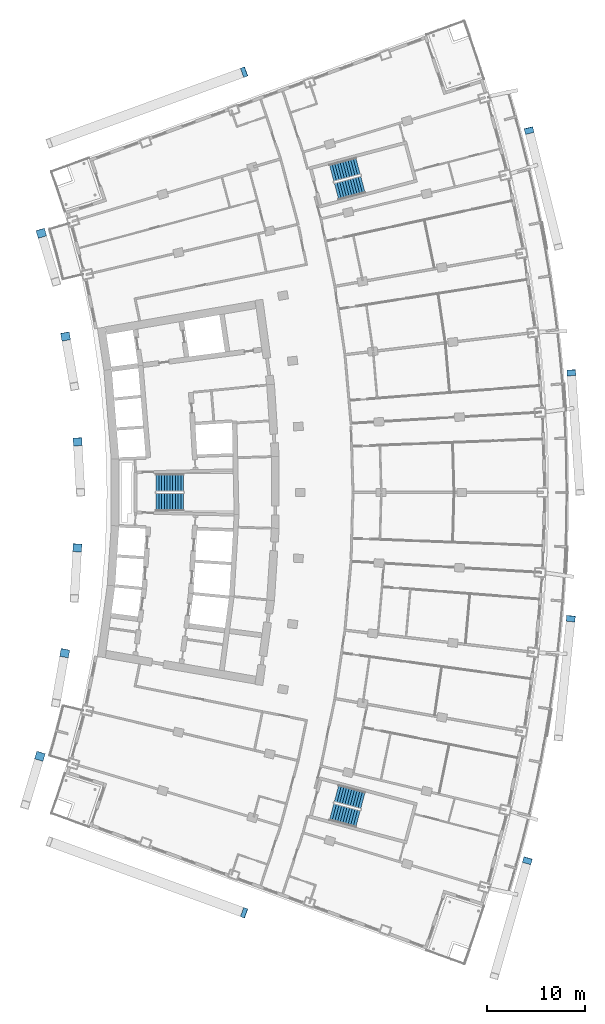
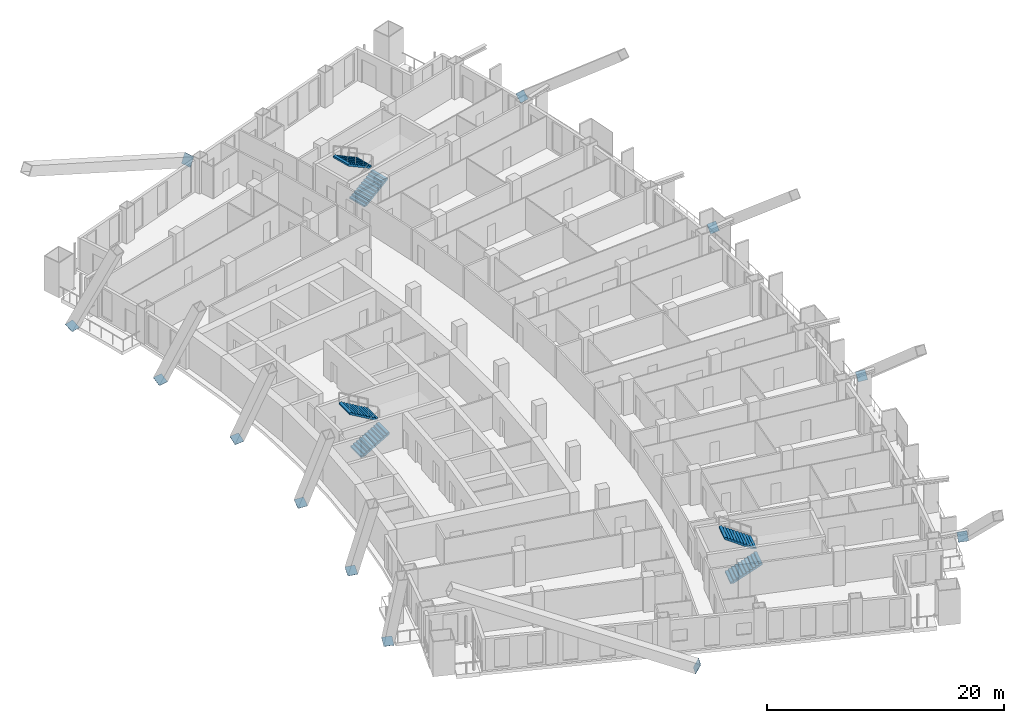
# One storey, part 22 of 25: 12 discrete accessories, 6 stair flights, 3 elements without a shape of their own.
"""IFC4 building model written with IfcOpenShell, lengths in metres."""

import ifcopenshell
import ifcopenshell.guid

model = None  # the IFC model being written
_history = None  # IfcOwnerHistory: only IFC2X3 demands one
_inside = {}  # id of a spatial element -> (the spatial element, [elements in it])
_under = {}  # id of a project, library or spatial element -> (it, [spatial elements below it])
_declared = {}  # id of a project -> (the project, [libraries it declares])
_typed = {}  # id of a type object -> (the type object, [elements of that type])
_made_of = {}  # id of a material, layer set ... -> (it, [elements and type objects made of it])


def new_model(schema):
    """Start an empty IFC model of exactly this schema.

    Asked for "IFC4X3", IfcOpenShell would pick the latest addendum, in which some entities
    have other attributes; the version numbers below select the first issue.
    IFC2X3 requires an IfcOwnerHistory on every rooted entity: one is made here for all.
    """
    global model, _history
    if schema == "IFC4X3":
        model = ifcopenshell.file(schema_version=(4, 3, 0, 0))
    else:
        model = ifcopenshell.file(schema=schema)
    _inside.clear()
    _under.clear()
    _declared.clear()
    _typed.clear()
    _made_of.clear()
    _history = None
    if model.schema == "IFC2X3":
        org = make("IfcOrganization", Name="unknown")
        user = make(
            "IfcPersonAndOrganization",
            ThePerson=make("IfcPerson", FamilyName="unknown"),
            TheOrganization=org,
        )
        app = make(
            "IfcApplication",
            ApplicationDeveloper=org,
            Version="unknown",
            ApplicationFullName="unknown",
            ApplicationIdentifier="unknown",
        )
        _history = make(
            "IfcOwnerHistory",
            OwningUser=user,
            OwningApplication=app,
            ChangeAction="ADDED",
            CreationDate=0,
        )
    return model


def make(cls, **values):
    """One entity of the class cls with the attributes given. An attribute that is None is left unset."""
    return model.create_entity(
        cls, **{name: value for name, value in values.items() if value is not None}
    )


def rooted(cls, **values):
    """An entity with a GlobalId (a new one), such as an element, a storey or a relation."""
    return make(cls, GlobalId=ifcopenshell.guid.new(), OwnerHistory=_history, **values)


def si_unit(unit_type, name, prefix=None):
    """IfcSIUnit, for example si_unit("LENGTHUNIT", "METRE", prefix="MILLI")."""
    return make("IfcSIUnit", UnitType=unit_type, Prefix=prefix, Name=name)


def assignment(units):
    """IfcUnitAssignment: the units of a project."""
    return None if units is None else make("IfcUnitAssignment", Units=units)


def point(xyz):
    """IfcCartesianPoint."""
    return None if xyz is None else make("IfcCartesianPoint", Coordinates=xyz)


def direction(xyz):
    """IfcDirection."""
    return None if xyz is None else make("IfcDirection", DirectionRatios=xyz)


def frame(location, z_axis=None, x_axis=None):
    """IfcAxis2Placement3D, a coordinate frame: its origin and axes. An axis left out is left unset."""
    return make(
        "IfcAxis2Placement3D",
        Location=point(location),
        Axis=direction(z_axis),
        RefDirection=direction(x_axis),
    )


def frame_2d(location, x_axis=None):
    """IfcAxis2Placement2D, a coordinate frame in the plane: its origin and x axis."""
    return make(
        "IfcAxis2Placement2D", Location=point(location), RefDirection=direction(x_axis)
    )


def origin():
    """The frame at (0, 0, 0) with its axes left unset."""
    return frame((0.0, 0.0, 0.0))


def origin_2d():
    """The frame at (0, 0) in the plane with its x axis left unset."""
    return frame_2d((0.0, 0.0))


def place(relative_to, where):
    """IfcLocalPlacement: puts the frame where relative to a parent placement (None: the world)."""
    return make(
        "IfcLocalPlacement", PlacementRelTo=relative_to, RelativePlacement=where
    )


def context(
    kind, dimensions, precision=None, world=None, true_north=None, identifier=None
):
    """IfcGeometricRepresentationContext, for example the 3D "Model" context."""
    return make(
        "IfcGeometricRepresentationContext",
        ContextIdentifier=identifier,
        ContextType=kind,
        CoordinateSpaceDimension=dimensions,
        Precision=precision,
        WorldCoordinateSystem=world,
        TrueNorth=true_north,
    )


def subcontext(parent, identifier, kind, view, scale=None):
    """IfcGeometricRepresentationSubContext, for example "Body" below "Model"."""
    return make(
        "IfcGeometricRepresentationSubContext",
        ContextIdentifier=identifier,
        ContextType=kind,
        ParentContext=parent,
        TargetScale=scale,
        TargetView=view,
    )


def project(units=None, contexts=None):
    """IfcProject with its units and contexts."""
    return rooted(
        "IfcProject",
        Name="project",
        RepresentationContexts=contexts,
        UnitsInContext=assignment(units),
    )


def spatial(cls, under=None, at=None, **own):
    """A site, building, storey or space (cls), placed at a placement, below another one or the project."""
    s = rooted(cls, ObjectPlacement=at, **own)
    if under is not None:
        _under.setdefault(under.id(), (under, []))[1].append(s)
    return s


def polyline(points):
    """IfcPolyline through the points."""
    return make("IfcPolyline", Points=[point(p) for p in points])


def profile(cls, at=None, kind="AREA", **sizes):
    """A parametric profile (cls). Its sizes go by their IFC names, for example OverallWidth=200.0."""
    return make(cls, ProfileType=kind, Position=at, **sizes)


def rectangle(**sizes):
    """IfcRectangleProfileDef."""
    return profile("IfcRectangleProfileDef", **sizes)


def outline(outer, holes=None, kind="AREA"):
    """IfcArbitraryClosedProfileDef: a profile drawn as a closed curve; with holes, ...WithVoids."""
    if holes is None:
        return make("IfcArbitraryClosedProfileDef", ProfileType=kind, OuterCurve=outer)
    return make(
        "IfcArbitraryProfileDefWithVoids",
        ProfileType=kind,
        OuterCurve=outer,
        InnerCurves=holes,
    )


def extrude(swept, where, along, depth):
    """IfcExtrudedAreaSolid: the profile swept, set in the frame where, extruded along a direction by depth."""
    return make(
        "IfcExtrudedAreaSolid",
        SweptArea=swept,
        Position=where,
        ExtrudedDirection=direction(along),
        Depth=depth,
    )


def shape(context_of_items, identifier, shape_type, items):
    """IfcShapeRepresentation: the items that make up one representation, for example the "Body"."""
    return make(
        "IfcShapeRepresentation",
        ContextOfItems=context_of_items,
        RepresentationIdentifier=identifier,
        RepresentationType=shape_type,
        Items=items,
    )


def material(Name=None, Category=None):
    """IfcMaterial."""
    return make("IfcMaterial", Name=Name, Category=Category)


def layer(
    of_material, thickness, ventilated=None, Name=None, Category=None, Priority=None
):
    """IfcMaterialLayer: one layer of a wall or slab, of a material (None: an air gap)."""
    return make(
        "IfcMaterialLayer",
        Material=of_material,
        LayerThickness=thickness,
        IsVentilated=ventilated,
        Name=Name,
        Category=Category,
        Priority=Priority,
    )


def layer_set(layers, Name=None):
    """IfcMaterialLayerSet."""
    return make("IfcMaterialLayerSet", MaterialLayers=layers, LayerSetName=Name)


def material_profile(
    of_material, cross_section, Name=None, Category=None, Priority=None
):
    """IfcMaterialProfile: a cross section and its material."""
    return make(
        "IfcMaterialProfile",
        Name=Name,
        Material=of_material,
        Profile=cross_section,
        Priority=Priority,
        Category=Category,
    )


def profile_set(profiles, Name=None, composite=None):
    """IfcMaterialProfileSet."""
    return make(
        "IfcMaterialProfileSet",
        Name=Name,
        MaterialProfiles=profiles,
        CompositeProfile=composite,
    )


def made_of(thing, what):
    """Note that an element or type object is made of a material, layer set ...; save() writes the relation."""
    if what is not None:
        _made_of.setdefault(what.id(), (what, []))[1].append(thing)
    return thing


def type_object(cls, material=None, **own):
    """A type object (cls), such as IfcWallType, which elements share."""
    return made_of(rooted(cls, **own), material)


def element(
    cls,
    number,
    at=None,
    inside=None,
    cuts=None,
    type_object=None,
    material=None,
    context=None,
    identifier="Body",
    shape_type=None,
    held_by="IfcProductDefinitionShape",
    body=None,
    shapes=None,
    **own,
):
    """One element of the class cls, such as IfcWall. Its Tag is "e" and its number.

    at: its placement. inside: the storey or other place that contains it. cuts: it is an
    opening in that element (IfcRelVoidsElement). A single representation is given by context,
    identifier, shape_type and body (its items); several are given by shapes. held_by: the class
    of the entity that holds the representations. save() writes the other relations.
    """
    e = rooted(cls, Tag="e%d" % number, ObjectPlacement=at, **own)
    if body is not None:
        shapes = [shape(context, identifier, shape_type, body)]
    if shapes is not None:
        e.Representation = make(held_by, Representations=shapes)
    if inside is not None:
        _inside.setdefault(inside.id(), (inside, []))[1].append(e)
    if cuts is not None:
        rooted(
            "IfcRelVoidsElement", RelatingBuildingElement=cuts, RelatedOpeningElement=e
        )
    if type_object is not None:
        _typed.setdefault(type_object.id(), (type_object, []))[1].append(e)
    return made_of(e, material)


def aggregate(whole, parts):
    """IfcRelAggregates: a whole, such as a stair, and the parts it consists of."""
    return rooted("IfcRelAggregates", RelatingObject=whole, RelatedObjects=parts)


def save(model, path):
    """Write the relations noted so far, then the file.

    IfcRelAggregates (storeys below a building ...), IfcRelContainedInSpatialStructure (elements
    in a storey), IfcRelDefinesByType, IfcRelAssociatesMaterial and IfcRelDeclares: one each for
    every whole, place, type object, material and project.
    """
    for whole, parts in _under.values():
        aggregate(whole, parts)
    for where, things in _inside.values():
        rooted(
            "IfcRelContainedInSpatialStructure",
            RelatedElements=things,
            RelatingStructure=where,
        )
    for kind, things in _typed.values():
        rooted("IfcRelDefinesByType", RelatedObjects=things, RelatingType=kind)
    for what, things in _made_of.values():
        rooted("IfcRelAssociatesMaterial", RelatedObjects=things, RelatingMaterial=what)
    for by, libraries in _declared.values():
        rooted("IfcRelDeclares", RelatingContext=by, RelatedDefinitions=libraries)
    model.write(path)


model = new_model("IFC4")

# Units and contexts
model_context = context("Model", 3, precision=1e-05, world=origin(), true_north=direction((0.0, 1.0)))
body_context = subcontext(model_context, "Body", "Model", "MODEL_VIEW")
ifc_project = project(units=[si_unit("LENGTHUNIT", "METRE"), si_unit("AREAUNIT", "SQUARE_METRE"), si_unit("VOLUMEUNIT", "CUBIC_METRE"), si_unit("PLANEANGLEUNIT", "RADIAN"), si_unit("MASSUNIT", "GRAM", prefix="KILO")], contexts=[model_context])

# Site, building, storey
site_placement = place(None, origin())
site = spatial("IfcSite", under=ifc_project, at=site_placement, CompositionType="ELEMENT")
building_placement = place(site_placement, origin())
building = spatial("IfcBuilding", under=site, at=building_placement, Name="Alderwake Tower", CompositionType="ELEMENT")
storey_placement = place(building_placement, frame((0.0, 0.0, 114.800048828125)))
storey = spatial("IfcBuildingStorey", under=building, at=storey_placement, Name="L28", CompositionType="ELEMENT", Elevation=114.800048828125)

# Stair, stair flights
ifc_material_1 = material(Name="Concrete C40/50", Category="concrete")
stair_type = type_object("IfcStairType", Name="Core exit stair", PredefinedType="HALF_TURN_STAIR", material=ifc_material_1)
stair_1_placement = place(storey_placement, origin())
stair_1 = element("IfcStair", 1, at=stair_1_placement, inside=storey, type_object=stair_type, Name="L28 Exit Stair B", PredefinedType="HALF_TURN_STAIR")
ifc_material_2 = material(Name="Concrete C40/50", Category="concrete")
ifc_layer = layer(ifc_material_2, 0.14990234375)
ifc_layer_set = layer_set([ifc_layer], Name="Core stair flight")
stair_flight_type = type_object("IfcStairFlightType", Name="Core stair flight", PredefinedType="STRAIGHT", material=ifc_layer_set)
stair_flight_1_placement = place(storey_placement, frame((21.0400390625, 60.02490234375, 0.0), z_axis=(0.0, 0.0, 1.0), x_axis=(1.0, 0.0, 0.0)))
stair_flight_1 = element("IfcStairFlight", 2, at=stair_flight_1_placement, type_object=stair_flight_type, Name="ST-B flight 1", NumberOfRisers=11, NumberOfTreads=10, PredefinedType="STRAIGHT", RiserHeight=0.163636364, TreadLength=0.28, context=body_context, shape_type="SweptSolid", body=[
    extrude(outline(polyline([(0.0, 0.0), (0.0, 0.16357421875), (0.280029296875, 0.16357421875), (0.280029296875, 0.327392578125), (0.56005859375, 0.327392578125), (0.56005859375, 0.490966796875), (0.840087890625, 0.490966796875), (0.840087890625, 0.654541015625), (1.1201171875, 0.654541015625), (1.1201171875, 0.818115234375), (1.39990234375, 0.818115234375), (1.39990234375, 0.98193359375), (1.679931640625, 0.98193359375), (1.679931640625, 1.1455078125), (1.9599609375, 1.1455078125), (1.9599609375, 1.30908203125), (2.239990234375, 1.30908203125), (2.239990234375, 1.47265625), (2.52001953125, 1.47265625), (2.52001953125, 1.636474609375), (2.800048828125, 1.636474609375), (2.800048828125, 1.800048828125), (2.800048828125, 1.462646484375), (0.297119140625, 0.0), (0.0, 0.0)])), frame((0.0, 0.89990234375, 0.0), z_axis=(0.0, -1.0, 0.0), x_axis=(1.0, 0.0, 0.0)), (0.0, 0.0, 1.0), 1.800048828125),
])
stair_flight_2_placement = place(storey_placement, frame((23.840087890625, 61.97509765625, 1.800048828125), z_axis=(0.0, 0.0, 1.0), x_axis=(-1.0, 0.0, 0.0)))
stair_flight_2 = element("IfcStairFlight", 3, at=stair_flight_2_placement, type_object=stair_flight_type, Name="ST-B flight 2", NumberOfRisers=11, NumberOfTreads=10, PredefinedType="STRAIGHT", RiserHeight=0.163636364, TreadLength=0.28, context=body_context, shape_type="SweptSolid", body=[
    extrude(outline(polyline([(0.0, 0.0), (0.0, 0.16357421875), (0.280029296875, 0.16357421875), (0.280029296875, 0.327392578125), (0.56005859375, 0.327392578125), (0.56005859375, 0.490966796875), (0.840087890625, 0.490966796875), (0.840087890625, 0.654541015625), (1.1201171875, 0.654541015625), (1.1201171875, 0.818115234375), (1.39990234375, 0.818115234375), (1.39990234375, 0.98193359375), (1.679931640625, 0.98193359375), (1.679931640625, 1.1455078125), (1.9599609375, 1.1455078125), (1.9599609375, 1.30908203125), (2.239990234375, 1.30908203125), (2.239990234375, 1.47265625), (2.52001953125, 1.47265625), (2.52001953125, 1.636474609375), (2.800048828125, 1.636474609375), (2.800048828125, 1.800048828125), (2.800048828125, 1.462646484375), (0.297119140625, 0.0), (0.0, 0.0)])), frame((0.0, 0.89990234375, 0.0), z_axis=(0.0, -1.0, 0.0), x_axis=(1.0, 0.0, 0.0)), (0.0, 0.0, 1.0), 1.800048828125),
])
aggregate(stair_1, [stair_flight_1, stair_flight_2])

stair_2_placement = place(storey_placement, origin())
stair_2 = element("IfcStair", 4, at=stair_2_placement, inside=storey, type_object=stair_type, Name="L28 Exit Stair A", PredefinedType="HALF_TURN_STAIR")
stair_flight_3_placement = place(storey_placement, frame((39.512939453125, 91.823974609375, 0.0), z_axis=(0.0, 0.0, 1.0), x_axis=(0.966309627437, 0.257382407951, 0.0)))
stair_flight_3 = element("IfcStairFlight", 5, at=stair_flight_3_placement, type_object=stair_flight_type, Name="ST-A flight 1", NumberOfRisers=11, NumberOfTreads=10, PredefinedType="STRAIGHT", RiserHeight=0.163636364, TreadLength=0.28, context=body_context, shape_type="SweptSolid", body=[
    extrude(outline(polyline([(0.0, 0.0), (0.0, 0.16357421875), (0.280029296875, 0.16357421875), (0.280029296875, 0.327392578125), (0.56005859375, 0.327392578125), (0.56005859375, 0.490966796875), (0.840087890625, 0.490966796875), (0.840087890625, 0.654541015625), (1.1201171875, 0.654541015625), (1.1201171875, 0.818115234375), (1.39990234375, 0.818115234375), (1.39990234375, 0.98193359375), (1.679931640625, 0.98193359375), (1.679931640625, 1.1455078125), (1.9599609375, 1.1455078125), (1.9599609375, 1.30908203125), (2.239990234375, 1.30908203125), (2.239990234375, 1.47265625), (2.52001953125, 1.47265625), (2.52001953125, 1.636474609375), (2.800048828125, 1.636474609375), (2.800048828125, 1.800048828125), (2.800048828125, 1.462646484375), (0.297119140625, 0.0), (0.0, 0.0)])), frame((0.0, 0.89990234375, 0.0), z_axis=(0.0, -1.0, 0.0), x_axis=(1.0, 0.0, 0.0)), (0.0, 0.0, 1.0), 1.800048828125),
])
stair_flight_4_placement = place(storey_placement, frame((41.716796875, 94.428955078125, 1.800048828125), z_axis=(0.0, 0.0, 1.0), x_axis=(-0.966309627437, -0.257382407951, 0.0)))
stair_flight_4 = element("IfcStairFlight", 6, at=stair_flight_4_placement, type_object=stair_flight_type, Name="ST-A flight 2", NumberOfRisers=11, NumberOfTreads=10, PredefinedType="STRAIGHT", RiserHeight=0.163636364, TreadLength=0.28, context=body_context, shape_type="SweptSolid", body=[
    extrude(outline(polyline([(0.0, 0.0), (0.0, 0.16357421875), (0.280029296875, 0.16357421875), (0.280029296875, 0.327392578125), (0.56005859375, 0.327392578125), (0.56005859375, 0.490966796875), (0.840087890625, 0.490966796875), (0.840087890625, 0.654541015625), (1.1201171875, 0.654541015625), (1.1201171875, 0.818115234375), (1.39990234375, 0.818115234375), (1.39990234375, 0.98193359375), (1.679931640625, 0.98193359375), (1.679931640625, 1.1455078125), (1.9599609375, 1.1455078125), (1.9599609375, 1.30908203125), (2.239990234375, 1.30908203125), (2.239990234375, 1.47265625), (2.52001953125, 1.47265625), (2.52001953125, 1.636474609375), (2.800048828125, 1.636474609375), (2.800048828125, 1.800048828125), (2.800048828125, 1.462646484375), (0.297119140625, 0.0), (0.0, 0.0)])), frame((0.0, 0.89990234375, 0.0), z_axis=(0.0, -1.0, 0.0), x_axis=(1.0, 0.0, 0.0)), (0.0, 0.0, 1.0), 1.800048828125),
])
aggregate(stair_2, [stair_flight_3, stair_flight_4])

stair_3_placement = place(storey_placement, origin())
stair_3 = element("IfcStair", 7, at=stair_3_placement, inside=storey, type_object=stair_type, Name="L28 Exit Stair C", PredefinedType="HALF_TURN_STAIR")
stair_flight_5_placement = place(storey_placement, frame((39.010986328125, 28.291748046875, 0.0), z_axis=(0.0, 0.0, 1.0), x_axis=(0.966309627437, -0.257382407951, 0.0)))
stair_flight_5 = element("IfcStairFlight", 8, at=stair_flight_5_placement, type_object=stair_flight_type, Name="ST-C flight 1", NumberOfRisers=11, NumberOfTreads=10, PredefinedType="STRAIGHT", RiserHeight=0.163636364, TreadLength=0.28, context=body_context, shape_type="SweptSolid", body=[
    extrude(outline(polyline([(0.0, 0.0), (0.0, 0.16357421875), (0.280029296875, 0.16357421875), (0.280029296875, 0.327392578125), (0.56005859375, 0.327392578125), (0.56005859375, 0.490966796875), (0.840087890625, 0.490966796875), (0.840087890625, 0.654541015625), (1.1201171875, 0.654541015625), (1.1201171875, 0.818115234375), (1.39990234375, 0.818115234375), (1.39990234375, 0.98193359375), (1.679931640625, 0.98193359375), (1.679931640625, 1.1455078125), (1.9599609375, 1.1455078125), (1.9599609375, 1.30908203125), (2.239990234375, 1.30908203125), (2.239990234375, 1.47265625), (2.52001953125, 1.47265625), (2.52001953125, 1.636474609375), (2.800048828125, 1.636474609375), (2.800048828125, 1.800048828125), (2.800048828125, 1.462646484375), (0.297119140625, 0.0), (0.0, 0.0)])), frame((0.0, 0.89990234375, 0.0), z_axis=(0.0, -1.0, 0.0), x_axis=(1.0, 0.0, 0.0)), (0.0, 0.0, 1.0), 1.800048828125),
])
stair_flight_6_placement = place(storey_placement, frame((42.218505859375, 29.455322265625, 1.800048828125), z_axis=(0.0, 0.0, 1.0), x_axis=(-0.966309627437, 0.257382407951, 0.0)))
stair_flight_6 = element("IfcStairFlight", 9, at=stair_flight_6_placement, type_object=stair_flight_type, Name="ST-C flight 2", NumberOfRisers=11, NumberOfTreads=10, PredefinedType="STRAIGHT", RiserHeight=0.163636364, TreadLength=0.28, context=body_context, shape_type="SweptSolid", body=[
    extrude(outline(polyline([(0.0, 0.0), (0.0, 0.16357421875), (0.280029296875, 0.16357421875), (0.280029296875, 0.327392578125), (0.56005859375, 0.327392578125), (0.56005859375, 0.490966796875), (0.840087890625, 0.490966796875), (0.840087890625, 0.654541015625), (1.1201171875, 0.654541015625), (1.1201171875, 0.818115234375), (1.39990234375, 0.818115234375), (1.39990234375, 0.98193359375), (1.679931640625, 0.98193359375), (1.679931640625, 1.1455078125), (1.9599609375, 1.1455078125), (1.9599609375, 1.30908203125), (2.239990234375, 1.30908203125), (2.239990234375, 1.47265625), (2.52001953125, 1.47265625), (2.52001953125, 1.636474609375), (2.800048828125, 1.636474609375), (2.800048828125, 1.800048828125), (2.800048828125, 1.462646484375), (0.297119140625, 0.0), (0.0, 0.0)])), frame((0.0, 0.89990234375, 0.0), z_axis=(0.0, -1.0, 0.0), x_axis=(1.0, 0.0, 0.0)), (0.0, 0.0, 1.0), 1.800048828125),
])
aggregate(stair_3, [stair_flight_5, stair_flight_6])

# Discrete accessories
ifc_material_3 = material(Name="Steel ASTM A572 Grade 50", Category="steel")
ifc_material_profile_1 = material_profile(ifc_material_3, rectangle(XDim=1.0, YDim=1.0, at=origin_2d()), Name="BOX 1000X1000X60 cap")
ifc_profile_set_1 = profile_set([ifc_material_profile_1], Name="Steel ASTM A572 Grade 50")
discrete_accessory_type_1 = type_object("IfcDiscreteAccessoryType", Name="End cap plate BOX 1000X1000X60", PredefinedType="USERDEFINED", material=ifc_profile_set_1)
for number, where, z_axis, x_axis, name in (
    (10, (30.0439453125, 17.95654296875, 0.329345703125), (0.844218141181, -0.308464320816, -0.438344034844), (0.343192952924, 0.939264923791, 0.0), "End cap BRS2.2.0B2 X"),
    (11, (30.0439453125, 104.04345703125, 0.329345703125), (0.844218141181, 0.308464320816, -0.438344034844), (-0.343192952924, 0.939264923791, 0.0), "End cap BRN2.2.0B2 X"),
):
    element("IfcDiscreteAccessory", number, at=place(storey_placement, frame(where, z_axis=z_axis, x_axis=x_axis)), inside=storey, type_object=discrete_accessory_type_1, Name=name, ObjectType="END CAP", PredefinedType="USERDEFINED", context=body_context, shape_type="SweptSolid", body=[
        extrude(rectangle(XDim=1.0, YDim=1.0, at=origin_2d()), origin(), (0.0, 0.0, 1.0), 0.030029296875),
    ])
ifc_material_4 = material(Name="Steel ASTM A572 Grade 50", Category="steel")
ifc_material_profile_2 = material_profile(ifc_material_4, rectangle(XDim=0.89990234375, YDim=0.89990234375, at=origin_2d()), Name="BOX 900X900X55 cap")
ifc_profile_set_2 = profile_set([ifc_material_profile_2], Name="Steel ASTM A572 Grade 50")
discrete_accessory_type_2 = type_object("IfcDiscreteAccessoryType", Name="End cap plate BOX 900X900X55", PredefinedType="USERDEFINED", material=ifc_profile_set_2)
for number, where, z_axis, x_axis, name in (
    (12, (59.056396484375, 23.27587890625, 0.311767578125), (0.203278907045, 0.731804065364, -0.650492502545), (-0.96351790963, 0.267643863786, 0.0), "End cap BRF2.2.1B2 X"),
    (13, (63.50048828125, 48.062744140625, 0.311767578125), (0.081247127838, 0.755598288892, -0.649977022703), (-0.994268636888, 0.106910606117, 0.0), "End cap BRF2.2.4B2 X"),
    (14, (63.561279296875, 73.2451171875, 0.311767578125), (-0.048851577584, 0.757199452547, -0.651354367783), (-0.997925308968, -0.064382277998, 0.0), "End cap BRF2.2.7B2 X"),
    (15, (59.23681640625, 98.05322265625, 0.311767578125), (-0.186493297907, 0.737864787373, -0.648672340547), (-0.969512556416, -0.245041635138, 0.0), "End cap BRF2.2.10B2 X"),
    (16, (9.134521484375, 33.973876953125, 0.504638671875), (0.129926809902, 0.430382557802, -0.893246818079), (-0.957327710787, 0.289004591936, 0.0), "End cap BRR2.2.1B2 X"),
    (17, (11.674560546875, 44.533203125, 0.504638671875), (0.08133576549, 0.439213133645, -0.894693420388), (-0.983282004984, 0.182089260182, 0.0), "End cap BRR2.2.3B2 X"),
    (18, (12.968017578125, 55.316162109375, 0.504638671875), (0.032507435656, 0.446977240277, -0.893954480553), (-0.997365816959, 0.072535695779, 0.0), "End cap BRR2.2.5B2 X"),
    (19, (12.997802734375, 66.176513671875, 0.504638671875), (-0.032507435656, 0.446977240277, -0.893954480553), (-0.997365816959, -0.072535695779, 0.0), "End cap BRR2.2.7B2 X"),
    (20, (11.762939453125, 76.96630859375, 0.504638671875), (-0.081044089847, 0.44574249416, -0.89148498832), (-0.9838699101, -0.1788854382, 0.0), "End cap BRR2.2.9B2 X"),
    (21, (9.28076171875, 87.539306640625, 0.504638671875), (-0.129926809902, 0.430382557802, -0.893246818079), (-0.957327710787, -0.289004591936, 0.0), "End cap BRR2.2.11B2 X"),
):
    element("IfcDiscreteAccessory", number, at=place(storey_placement, frame(where, z_axis=z_axis, x_axis=x_axis)), inside=storey, type_object=discrete_accessory_type_2, Name=name, ObjectType="END CAP", PredefinedType="USERDEFINED", context=body_context, shape_type="SweptSolid", body=[
        extrude(rectangle(XDim=0.89990234375, YDim=0.89990234375, at=origin_2d()), origin(), (0.0, 0.0, 1.0), 0.030029296875),
    ])

save(model, "model.ifc")
